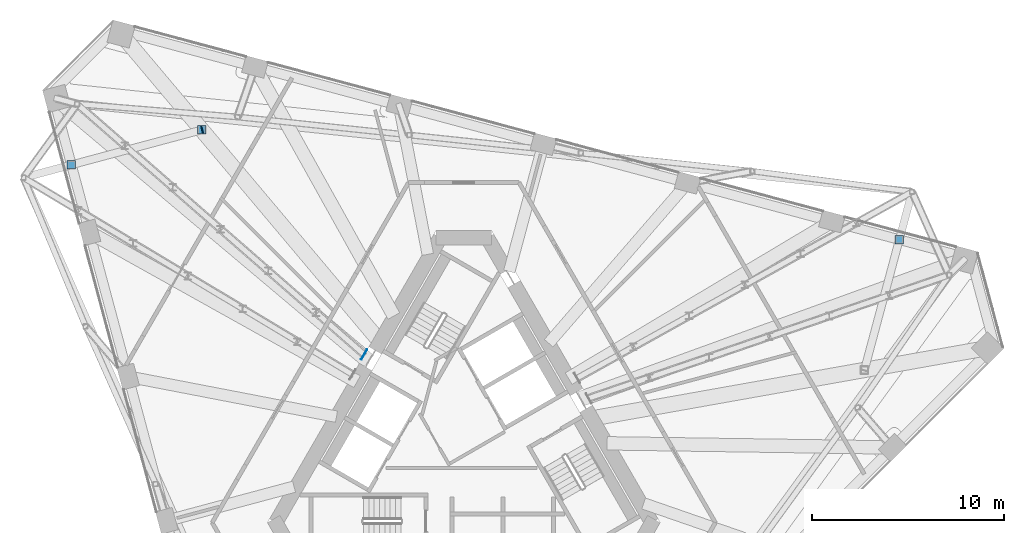
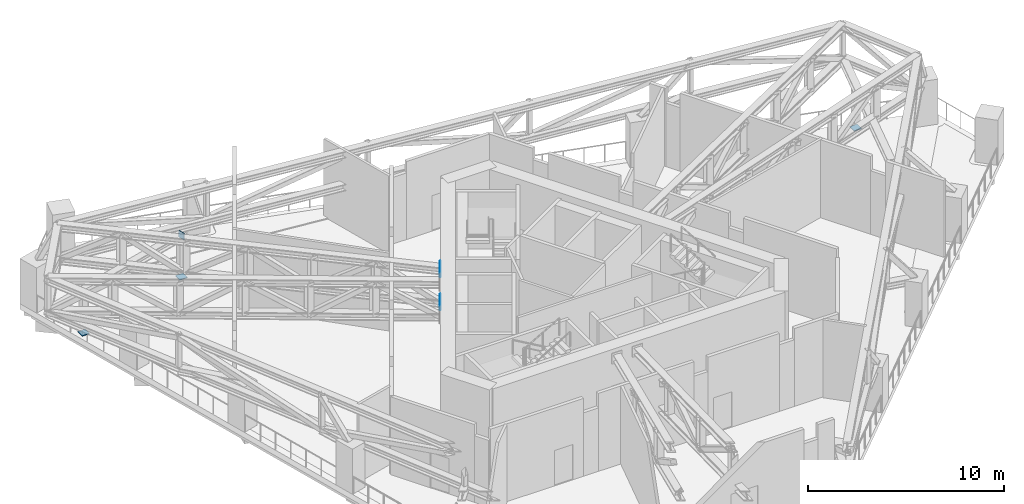
# One storey, part 17 of 22: 6 discrete accessories.
"""IFC4 building model written with IfcOpenShell, lengths in metres."""

from ifc_helpers import new_model, si_unit, direction, frame, origin, origin_2d, place, context, subcontext, project, spatial, rectangle, extrude, material, layer, layer_set, type_object, element, save


model = new_model("IFC4")

# Units and contexts
model_context = context("Model", 3, precision=1e-05, world=origin(), true_north=direction((0.0, 1.0)))
body_context = subcontext(model_context, "Body", "Model", "MODEL_VIEW")
ifc_project = project(units=[si_unit("LENGTHUNIT", "METRE"), si_unit("AREAUNIT", "SQUARE_METRE"), si_unit("VOLUMEUNIT", "CUBIC_METRE"), si_unit("PLANEANGLEUNIT", "RADIAN"), si_unit("MASSUNIT", "GRAM", prefix="KILO")], contexts=[model_context])

# Site, building, storey
site_placement = place(None, origin())
site = spatial("IfcSite", under=ifc_project, at=site_placement, CompositionType="ELEMENT")
building_placement = place(site_placement, origin())
building = spatial("IfcBuilding", under=site, at=building_placement, Name="Tramontana Tower", CompositionType="ELEMENT")
storey_placement = place(building_placement, frame((0.0, 0.0, 232.0)))
storey = spatial("IfcBuildingStorey", under=building, at=storey_placement, Name="L54", CompositionType="ELEMENT", Elevation=232.0)

# Discrete accessories
ifc_material_1 = material(Name="Steel ASTM A572 Grade 50", Category="steel")
ifc_layer_1 = layer(ifc_material_1, 0.0400390625)
ifc_layer_set_1 = layer_set([ifc_layer_1], Name="Base plate 450X450X40")
discrete_accessory_type_1 = type_object("IfcDiscreteAccessoryType", Name="Base plate 450X450X40", PredefinedType="ANCHORPLATE", material=ifc_layer_set_1)
for number, where, z_axis, x_axis, name in (
    (1, (-20.482177734375, 14.42822265625, 0.0), (0.0, 0.0, 1.0), (1.0, 0.0, 0.0), "Transfer truss post base plate C6K1.1"),
    (2, (-13.67919921875, 16.2509765625, 0.0), (0.0, 0.0, 1.0), (1.0, 0.0, 0.0), "Transfer truss post base plate C6K1.2"),
    (3, (22.736328125, 10.52392578125, 0.0), (0.0, 0.0, 1.0), (1.0, 0.0, 0.0), "Transfer truss post base plate C6K5.1"),
):
    element("IfcDiscreteAccessory", number, at=place(storey_placement, frame(where, z_axis=z_axis, x_axis=x_axis)), inside=storey, type_object=discrete_accessory_type_1, Name=name, PredefinedType="ANCHORPLATE", context=body_context, shape_type="SweptSolid", body=[
        extrude(rectangle(XDim=0.449951171875, YDim=0.449951171875, at=origin_2d()), origin(), (0.0, 0.0, 1.0), 0.0400390625),
    ])
ifc_material_2 = material(Name="Steel ASTM A572 Grade 50", Category="steel")
ifc_layer_2 = layer(ifc_material_2, 0.0400390625)
ifc_layer_set_2 = layer_set([ifc_layer_2], Name="Cast-in plate 600X650X40")
discrete_accessory_type_2 = type_object("IfcDiscreteAccessoryType", Name="Cast-in plate 600X650X40", PredefinedType="ANCHORPLATE", material=ifc_layer_set_2)
for number, where, z_axis, x_axis, name in (
    (4, (-5.201171875, 4.53125, 2.2783203125), (0.0, 0.0, 1.0), (-0.5, -0.866025403784, 0.0), "Cast-in plate Outrigger truss 5 bottom chord"),
    (5, (-5.201171875, 4.53125, 4.32177734375), (0.0, 0.0, 1.0), (-0.5, -0.866025403784, 0.0), "Cast-in plate Outrigger truss 5 top chord"),
):
    element("IfcDiscreteAccessory", number, at=place(storey_placement, frame(where, z_axis=z_axis, x_axis=x_axis)), inside=storey, type_object=discrete_accessory_type_2, Name=name, PredefinedType="ANCHORPLATE", context=body_context, shape_type="SweptSolid", body=[
        extrude(rectangle(XDim=0.60009765625, YDim=0.0400390625, at=origin_2d()), origin(), (0.0, 0.0, 1.0), 0.64990234375),
    ])
ifc_material_3 = material(Name="Steel ASTM A572 Grade 50", Category="steel")
ifc_layer_3 = layer(ifc_material_3, 0.0400390625)
ifc_layer_set_3 = layer_set([ifc_layer_3], Name="End plate 403X406X40")
discrete_accessory_type_3 = type_object("IfcDiscreteAccessoryType", Name="End plate 403X406X40", PredefinedType="ANCHORPLATE", material=ifc_layer_set_3)
discrete_accessory_placement = place(storey_placement, frame((-13.659912109375, 16.256103515625, 2.39990234375), z_axis=(0.0, 0.0, 1.0), x_axis=(0.258819045103, -0.965925826289, 0.0)))
element("IfcDiscreteAccessory", 6, at=discrete_accessory_placement, inside=storey, type_object=discrete_accessory_type_3, Name="Transfer truss girder end plate C6K1.2", PredefinedType="ANCHORPLATE", context=body_context, shape_type="SweptSolid", body=[
    extrude(rectangle(XDim=0.4033203125, YDim=0.0400390625, at=origin_2d()), origin(), (0.0, 0.0, 1.0), 0.406494140625),
])

save(model, "model.ifc")
